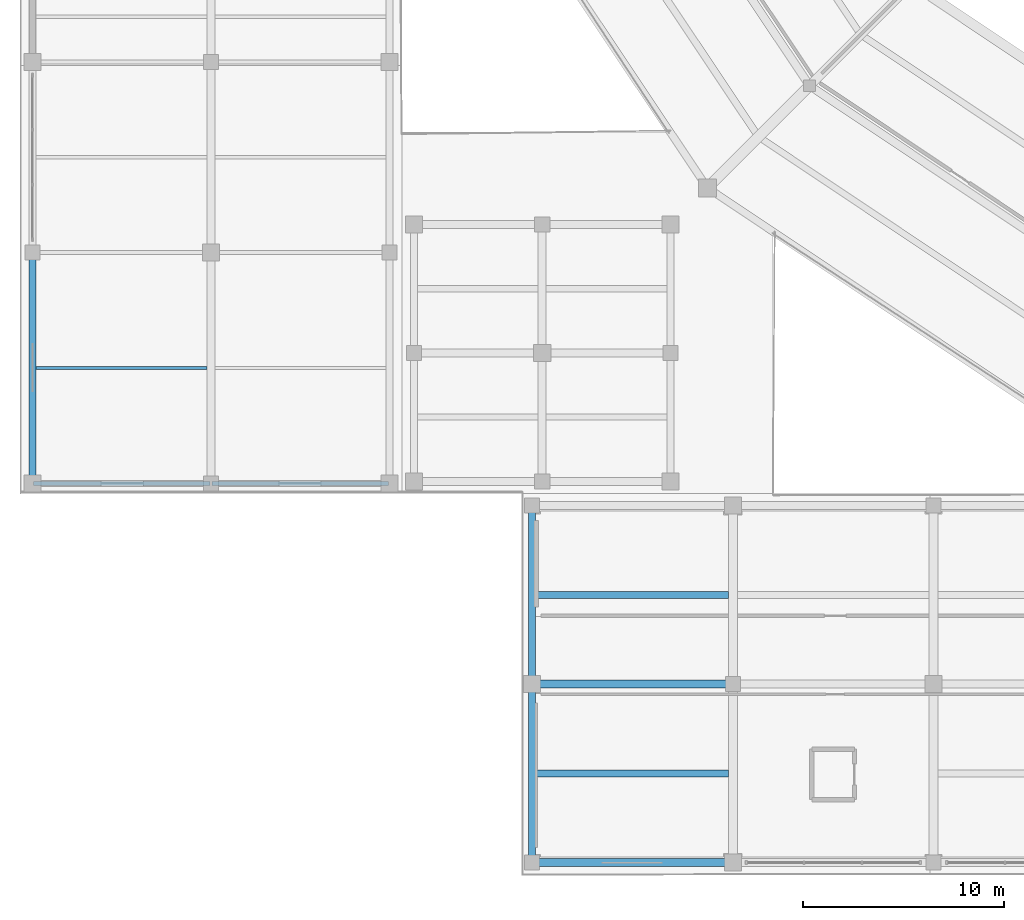
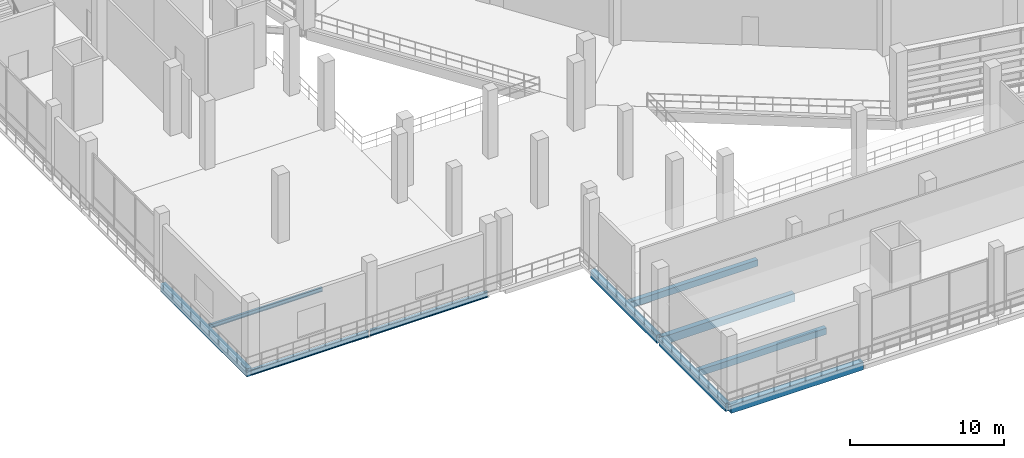
# One storey, part 11 of 114: 10 beams.
"""IFC4 building model written with IfcOpenShell, lengths in metres."""

from ifc_helpers import new_model, si_unit, direction, frame, origin, origin_2d, place, context, subcontext, project, spatial, rectangle, i_section, extrude, material, material_profile, profile_set, type_object, element, save


model = new_model("IFC4")

# Units and contexts
model_context = context("Model", 3, precision=1e-05, world=origin(), true_north=direction((0.0, 1.0)))
body_context = subcontext(model_context, "Body", "Model", "MODEL_VIEW")
ifc_project = project(units=[si_unit("LENGTHUNIT", "METRE"), si_unit("AREAUNIT", "SQUARE_METRE"), si_unit("VOLUMEUNIT", "CUBIC_METRE"), si_unit("PLANEANGLEUNIT", "RADIAN"), si_unit("MASSUNIT", "GRAM", prefix="KILO")], contexts=[model_context])

# Site, building, storey
site_placement = place(None, origin())
site = spatial("IfcSite", under=ifc_project, at=site_placement, CompositionType="ELEMENT")
building_placement = place(site_placement, origin())
building = spatial("IfcBuilding", under=site, at=building_placement, Name="Candeia Ridge Stadium", CompositionType="ELEMENT")
storey_placement = place(building_placement, frame((0.0, 0.0, 5.39990234375)))
storey = spatial("IfcBuildingStorey", under=building, at=storey_placement, Name="L01", CompositionType="ELEMENT", Elevation=5.39990234375)

# Beams
ifc_material_1 = material(Name="Concrete C40/50", Category="concrete")
ifc_material_profile_1 = material_profile(ifc_material_1, rectangle(XDim=0.35009765625, YDim=0.5, at=origin_2d()), Name="RC350x500", Category="concrete")
ifc_profile_set_1 = profile_set([ifc_material_profile_1], Name="Concrete C40/50")
beam_type_1 = type_object("IfcBeamType", Name="Floor Joist RC350x500", PredefinedType="JOIST", material=ifc_profile_set_1)
for number, where, z_axis, x_axis, name in (
    (1, (25.674560546875, 5.050048828125, -0.510009765625), (1.0, 0.0, 0.0), (0.0, 1.0, 0.0), "Wing secondary joist BM-L01-1952"),
    (2, (25.674560546875, 13.949951171875, -0.510009765625), (1.0, 0.0, 0.0), (0.0, 1.0, 0.0), "Wing secondary joist BM-L01-1954"),
):
    element("IfcBeam", number, at=place(storey_placement, frame(where, z_axis=z_axis, x_axis=x_axis)), inside=storey, type_object=beam_type_1, Name=name, PredefinedType="JOIST", context=body_context, shape_type="SweptSolid", body=[
        extrude(rectangle(XDim=0.35009765625, YDim=0.5, at=origin_2d()), origin(), (0.0, 0.0, 1.0), 9.600830078125),
    ])
ifc_material_2 = material(Name="Steel ASTM A572 Grade 50", Category="steel")
ifc_material_profile_2 = material_profile(ifc_material_2, i_section(OverallWidth=0.1669921875, OverallDepth=0.31689453125, WebThickness=0.007568359375, FlangeThickness=0.01318359375, FilletRadius=0.011962890625, at=origin_2d()), Name="W310x52", Category="steel")
ifc_profile_set_2 = profile_set([ifc_material_profile_2], Name="Steel ASTM A572 Grade 50")
beam_type_2 = type_object("IfcBeamType", Name="Pavilion Secondary Joist W310x52", PredefinedType="JOIST", material=ifc_profile_set_2)
beam_1_placement = place(storey_placement, frame((0.7744140625, 25.25, -0.41845703125), z_axis=(1.0, 0.0, 0.0), x_axis=(0.0, 1.0, 0.0)))
element("IfcBeam", 3, at=beam_1_placement, inside=storey, type_object=beam_type_2, Name="Wing secondary joist BM-L01-1072", PredefinedType="JOIST", context=body_context, shape_type="SweptSolid", body=[
    extrude(i_section(OverallWidth=0.1669921875, OverallDepth=0.31689453125, WebThickness=0.007568359375, FlangeThickness=0.01318359375, FilletRadius=0.011962890625, at=origin_2d()), origin(), (0.0, 0.0, 1.0), 8.526123046875),
])
ifc_material_profile_3 = material_profile(ifc_material_2, i_section(OverallWidth=0.18994140625, OverallDepth=0.45703125, WebThickness=0.009033203125, FlangeThickness=0.014404296875, FilletRadius=0.012939453125, at=origin_2d()), Name="W460x74", Category="steel")
ifc_profile_set_3 = profile_set([ifc_material_profile_3], Name="Steel ASTM A572 Grade 50")
beam_type_3 = type_object("IfcBeamType", Name="Pavilion Steel Girder W460x74", PredefinedType="BEAM", material=ifc_profile_set_3)
for number, where, z_axis, x_axis, name in (
    (4, (0.64990234375, 19.5, -0.48828125), (1.0, 0.0, 0.0), (0.0, 1.0, 0.0), "Structural girder BM-L01-1071"),
    (5, (9.550048828125, 19.5, -0.48828125), (1.0, 0.0, 0.0), (0.0, 1.0, 0.0), "Structural girder BM-L01-1089"),
):
    element("IfcBeam", number, at=place(storey_placement, frame(where, z_axis=z_axis, x_axis=x_axis)), inside=storey, type_object=beam_type_3, Name=name, PredefinedType="BEAM", context=body_context, shape_type="SweptSolid", body=[
        extrude(i_section(OverallWidth=0.18994140625, OverallDepth=0.45703125, WebThickness=0.009033203125, FlangeThickness=0.014404296875, FilletRadius=0.012939453125, at=origin_2d()), origin(), (0.0, 0.0, 1.0), 8.800048828125),
    ])
ifc_material_profile_4 = material_profile(ifc_material_1, rectangle(XDim=0.35009765625, YDim=0.64990234375, at=origin_2d()), Name="RC350x650", Category="concrete")
ifc_profile_set_4 = profile_set([ifc_material_profile_4], Name="Concrete C40/50")
beam_type_4 = type_object("IfcBeamType", Name="Spandrel Beam RC350x650", PredefinedType="SPANDREL", material=ifc_profile_set_4)
beam_2_placement = place(storey_placement, frame((0.60009765625, 19.659912109375, -0.5849609375), z_axis=(0.0, 1.0, 0.0), x_axis=(-1.0, 0.0, 0.0)))
element("IfcBeam", 6, at=beam_2_placement, inside=storey, type_object=beam_type_4, Name="Structural girder BM-L01-1033", PredefinedType="SPANDREL", context=body_context, shape_type="SweptSolid", body=[
    extrude(rectangle(XDim=0.35009765625, YDim=0.64990234375, at=origin_2d()), origin(), (0.0, 0.0, 1.0), 11.18017578125),
])
for number, where, z_axis, x_axis, name in (
    (7, (25.5, 0.760009765625, -0.5849609375), (0.0, 1.0, 0.0), (-1.0, 0.0, 0.0), "Structural girder BM-L01-1938"),
    (8, (25.5, 9.659912109375, -0.5849609375), (0.0, 1.0, 0.0), (-1.0, 0.0, 0.0), "Structural girder BM-L01-1939"),
):
    element("IfcBeam", number, at=place(storey_placement, frame(where, z_axis=z_axis, x_axis=x_axis)), inside=storey, type_object=beam_type_4, Name=name, PredefinedType="SPANDREL", context=body_context, shape_type="SweptSolid", body=[
        extrude(rectangle(XDim=0.35009765625, YDim=0.64990234375, at=origin_2d()), origin(), (0.0, 0.0, 1.0), 8.580078125),
    ])
ifc_material_profile_5 = material_profile(ifc_material_1, rectangle(XDim=0.39990234375, YDim=0.64990234375, at=origin_2d()), Name="RC400x650", Category="concrete")
ifc_profile_set_5 = profile_set([ifc_material_profile_5], Name="Concrete C40/50")
beam_type_5 = type_object("IfcBeamType", Name="Wing Primary Girder RC400x650", PredefinedType="BEAM", material=ifc_profile_set_5)
for number, where, z_axis, x_axis, name in (
    (9, (25.550048828125, 0.60009765625, -0.5849609375), (1.0, 0.0, 0.0), (0.0, 1.0, 0.0), "Structural girder BM-L01-1951"),
    (10, (25.550048828125, 9.5, -0.5849609375), (1.0, 0.0, 0.0), (0.0, 1.0, 0.0), "Structural girder BM-L01-1953"),
):
    element("IfcBeam", number, at=place(storey_placement, frame(where, z_axis=z_axis, x_axis=x_axis)), inside=storey, type_object=beam_type_5, Name=name, PredefinedType="BEAM", context=body_context, shape_type="SweptSolid", body=[
        extrude(rectangle(XDim=0.39990234375, YDim=0.64990234375, at=origin_2d()), origin(), (0.0, 0.0, 1.0), 9.89990234375),
    ])

save(model, "model.ifc")
